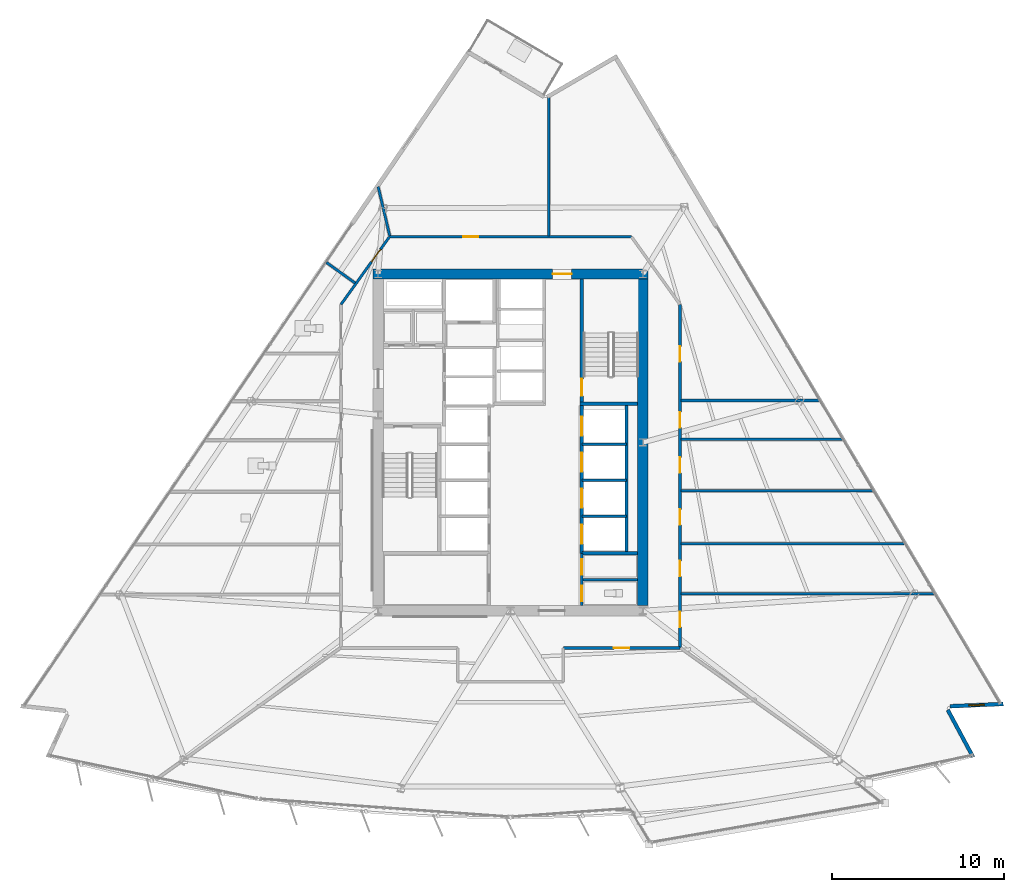
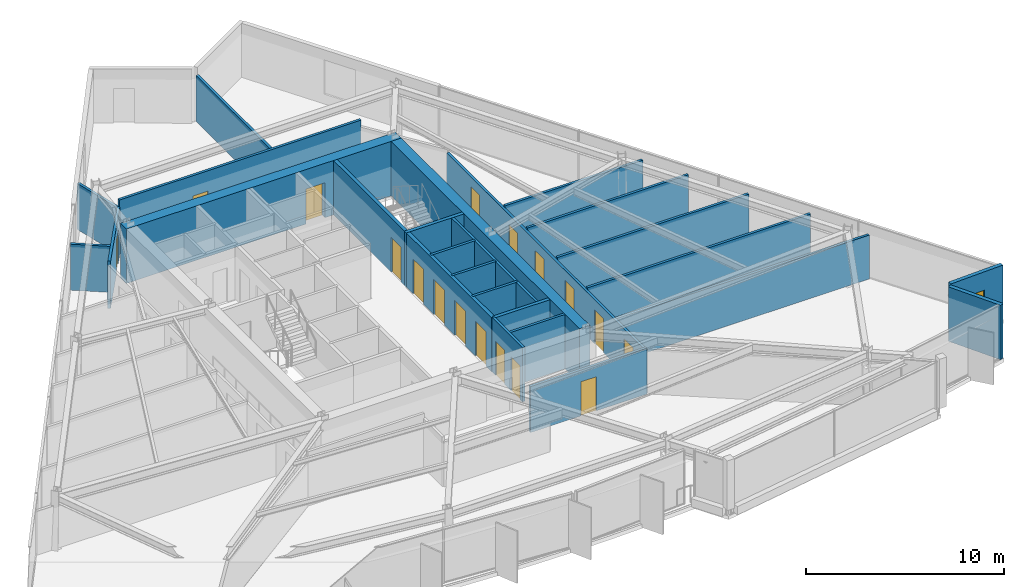
# One storey, part 9 of 15: 26 walls, 17 doors, 1 window, 18 openings.
"""IFC4 building model written with IfcOpenShell, lengths in metres."""

import ifcopenshell
import ifcopenshell.guid

model = None  # the IFC model being written
_history = None  # IfcOwnerHistory: only IFC2X3 demands one
_inside = {}  # id of a spatial element -> (the spatial element, [elements in it])
_under = {}  # id of a project, library or spatial element -> (it, [spatial elements below it])
_declared = {}  # id of a project -> (the project, [libraries it declares])
_typed = {}  # id of a type object -> (the type object, [elements of that type])
_made_of = {}  # id of a material, layer set ... -> (it, [elements and type objects made of it])


def new_model(schema):
    """Start an empty IFC model of exactly this schema.

    Asked for "IFC4X3", IfcOpenShell would pick the latest addendum, in which some entities
    have other attributes; the version numbers below select the first issue.
    IFC2X3 requires an IfcOwnerHistory on every rooted entity: one is made here for all.
    """
    global model, _history
    if schema == "IFC4X3":
        model = ifcopenshell.file(schema_version=(4, 3, 0, 0))
    else:
        model = ifcopenshell.file(schema=schema)
    _inside.clear()
    _under.clear()
    _declared.clear()
    _typed.clear()
    _made_of.clear()
    _history = None
    if model.schema == "IFC2X3":
        org = make("IfcOrganization", Name="unknown")
        user = make(
            "IfcPersonAndOrganization",
            ThePerson=make("IfcPerson", FamilyName="unknown"),
            TheOrganization=org,
        )
        app = make(
            "IfcApplication",
            ApplicationDeveloper=org,
            Version="unknown",
            ApplicationFullName="unknown",
            ApplicationIdentifier="unknown",
        )
        _history = make(
            "IfcOwnerHistory",
            OwningUser=user,
            OwningApplication=app,
            ChangeAction="ADDED",
            CreationDate=0,
        )
    return model


def make(cls, **values):
    """One entity of the class cls with the attributes given. An attribute that is None is left unset."""
    return model.create_entity(
        cls, **{name: value for name, value in values.items() if value is not None}
    )


def rooted(cls, **values):
    """An entity with a GlobalId (a new one), such as an element, a storey or a relation."""
    return make(cls, GlobalId=ifcopenshell.guid.new(), OwnerHistory=_history, **values)


def si_unit(unit_type, name, prefix=None):
    """IfcSIUnit, for example si_unit("LENGTHUNIT", "METRE", prefix="MILLI")."""
    return make("IfcSIUnit", UnitType=unit_type, Prefix=prefix, Name=name)


def assignment(units):
    """IfcUnitAssignment: the units of a project."""
    return None if units is None else make("IfcUnitAssignment", Units=units)


def point(xyz):
    """IfcCartesianPoint."""
    return None if xyz is None else make("IfcCartesianPoint", Coordinates=xyz)


def direction(xyz):
    """IfcDirection."""
    return None if xyz is None else make("IfcDirection", DirectionRatios=xyz)


def frame(location, z_axis=None, x_axis=None):
    """IfcAxis2Placement3D, a coordinate frame: its origin and axes. An axis left out is left unset."""
    return make(
        "IfcAxis2Placement3D",
        Location=point(location),
        Axis=direction(z_axis),
        RefDirection=direction(x_axis),
    )


def frame_2d(location, x_axis=None):
    """IfcAxis2Placement2D, a coordinate frame in the plane: its origin and x axis."""
    return make(
        "IfcAxis2Placement2D", Location=point(location), RefDirection=direction(x_axis)
    )


def origin():
    """The frame at (0, 0, 0) with its axes left unset."""
    return frame((0.0, 0.0, 0.0))


def place(relative_to, where):
    """IfcLocalPlacement: puts the frame where relative to a parent placement (None: the world)."""
    return make(
        "IfcLocalPlacement", PlacementRelTo=relative_to, RelativePlacement=where
    )


def context(
    kind, dimensions, precision=None, world=None, true_north=None, identifier=None
):
    """IfcGeometricRepresentationContext, for example the 3D "Model" context."""
    return make(
        "IfcGeometricRepresentationContext",
        ContextIdentifier=identifier,
        ContextType=kind,
        CoordinateSpaceDimension=dimensions,
        Precision=precision,
        WorldCoordinateSystem=world,
        TrueNorth=true_north,
    )


def subcontext(parent, identifier, kind, view, scale=None):
    """IfcGeometricRepresentationSubContext, for example "Body" below "Model"."""
    return make(
        "IfcGeometricRepresentationSubContext",
        ContextIdentifier=identifier,
        ContextType=kind,
        ParentContext=parent,
        TargetScale=scale,
        TargetView=view,
    )


def project(units=None, contexts=None):
    """IfcProject with its units and contexts."""
    return rooted(
        "IfcProject",
        Name="project",
        RepresentationContexts=contexts,
        UnitsInContext=assignment(units),
    )


def spatial(cls, under=None, at=None, **own):
    """A site, building, storey or space (cls), placed at a placement, below another one or the project."""
    s = rooted(cls, ObjectPlacement=at, **own)
    if under is not None:
        _under.setdefault(under.id(), (under, []))[1].append(s)
    return s


def profile(cls, at=None, kind="AREA", **sizes):
    """A parametric profile (cls). Its sizes go by their IFC names, for example OverallWidth=200.0."""
    return make(cls, ProfileType=kind, Position=at, **sizes)


def rectangle(**sizes):
    """IfcRectangleProfileDef."""
    return profile("IfcRectangleProfileDef", **sizes)


def extrude(swept, where, along, depth):
    """IfcExtrudedAreaSolid: the profile swept, set in the frame where, extruded along a direction by depth."""
    return make(
        "IfcExtrudedAreaSolid",
        SweptArea=swept,
        Position=where,
        ExtrudedDirection=direction(along),
        Depth=depth,
    )


def shape(context_of_items, identifier, shape_type, items):
    """IfcShapeRepresentation: the items that make up one representation, for example the "Body"."""
    return make(
        "IfcShapeRepresentation",
        ContextOfItems=context_of_items,
        RepresentationIdentifier=identifier,
        RepresentationType=shape_type,
        Items=items,
    )


def material(Name=None, Category=None):
    """IfcMaterial."""
    return make("IfcMaterial", Name=Name, Category=Category)


def layer(
    of_material, thickness, ventilated=None, Name=None, Category=None, Priority=None
):
    """IfcMaterialLayer: one layer of a wall or slab, of a material (None: an air gap)."""
    return make(
        "IfcMaterialLayer",
        Material=of_material,
        LayerThickness=thickness,
        IsVentilated=ventilated,
        Name=Name,
        Category=Category,
        Priority=Priority,
    )


def layer_set(layers, Name=None):
    """IfcMaterialLayerSet."""
    return make("IfcMaterialLayerSet", MaterialLayers=layers, LayerSetName=Name)


def made_of(thing, what):
    """Note that an element or type object is made of a material, layer set ...; save() writes the relation."""
    if what is not None:
        _made_of.setdefault(what.id(), (what, []))[1].append(thing)
    return thing


def type_object(cls, material=None, **own):
    """A type object (cls), such as IfcWallType, which elements share."""
    return made_of(rooted(cls, **own), material)


def element(
    cls,
    number,
    at=None,
    inside=None,
    cuts=None,
    type_object=None,
    material=None,
    context=None,
    identifier="Body",
    shape_type=None,
    held_by="IfcProductDefinitionShape",
    body=None,
    shapes=None,
    **own,
):
    """One element of the class cls, such as IfcWall. Its Tag is "e" and its number.

    at: its placement. inside: the storey or other place that contains it. cuts: it is an
    opening in that element (IfcRelVoidsElement). A single representation is given by context,
    identifier, shape_type and body (its items); several are given by shapes. held_by: the class
    of the entity that holds the representations. save() writes the other relations.
    """
    e = rooted(cls, Tag="e%d" % number, ObjectPlacement=at, **own)
    if body is not None:
        shapes = [shape(context, identifier, shape_type, body)]
    if shapes is not None:
        e.Representation = make(held_by, Representations=shapes)
    if inside is not None:
        _inside.setdefault(inside.id(), (inside, []))[1].append(e)
    if cuts is not None:
        rooted(
            "IfcRelVoidsElement", RelatingBuildingElement=cuts, RelatedOpeningElement=e
        )
    if type_object is not None:
        _typed.setdefault(type_object.id(), (type_object, []))[1].append(e)
    return made_of(e, material)


def fill(opening, filler):
    """IfcRelFillsElement: the door or window that sits in an opening."""
    return rooted(
        "IfcRelFillsElement",
        RelatingOpeningElement=opening,
        RelatedBuildingElement=filler,
    )


def aggregate(whole, parts):
    """IfcRelAggregates: a whole, such as a stair, and the parts it consists of."""
    return rooted("IfcRelAggregates", RelatingObject=whole, RelatedObjects=parts)


def save(model, path):
    """Write the relations noted so far, then the file.

    IfcRelAggregates (storeys below a building ...), IfcRelContainedInSpatialStructure (elements
    in a storey), IfcRelDefinesByType, IfcRelAssociatesMaterial and IfcRelDeclares: one each for
    every whole, place, type object, material and project.
    """
    for whole, parts in _under.values():
        aggregate(whole, parts)
    for where, things in _inside.values():
        rooted(
            "IfcRelContainedInSpatialStructure",
            RelatedElements=things,
            RelatingStructure=where,
        )
    for kind, things in _typed.values():
        rooted("IfcRelDefinesByType", RelatedObjects=things, RelatingType=kind)
    for what, things in _made_of.values():
        rooted("IfcRelAssociatesMaterial", RelatedObjects=things, RelatingMaterial=what)
    for by, libraries in _declared.values():
        rooted("IfcRelDeclares", RelatingContext=by, RelatedDefinitions=libraries)
    model.write(path)


model = new_model("IFC4")

# Units and contexts
model_context = context("Model", 3, precision=1e-05, world=origin(), true_north=direction((0.0, 1.0)))
body_context = subcontext(model_context, "Body", "Model", "MODEL_VIEW")
ifc_project = project(units=[si_unit("LENGTHUNIT", "METRE"), si_unit("AREAUNIT", "SQUARE_METRE"), si_unit("VOLUMEUNIT", "CUBIC_METRE"), si_unit("PLANEANGLEUNIT", "RADIAN"), si_unit("MASSUNIT", "GRAM", prefix="KILO")], contexts=[model_context])

# Site, building, storey
site_placement = place(None, origin())
site = spatial("IfcSite", under=ifc_project, at=site_placement, CompositionType="ELEMENT")
building_placement = place(site_placement, origin())
building = spatial("IfcBuilding", under=site, at=building_placement, Name="Savorim Split Tower", CompositionType="ELEMENT")
storey_placement = place(building_placement, frame((0.0, 0.0, 93.300048828125)))
storey = spatial("IfcBuildingStorey", under=building, at=storey_placement, Name="L24", CompositionType="ELEMENT", Elevation=93.300048828125)

# Wall, opening, door
ifc_material_1 = material(Name="Concrete C60/75", Category="concrete")
ifc_layer_1 = layer(ifc_material_1, 0.60009765625)
ifc_layer_set_1 = layer_set([ifc_layer_1], Name="WAL-COR-SH600")
wall_type_1 = type_object("IfcWallType", Name="WAL-COR-SH600", PredefinedType="SHEAR", material=ifc_layer_set_1)
wall_1_placement = place(storey_placement, frame((8.0, 10.199951171875, 0.0), z_axis=(0.0, 0.0, 1.0), x_axis=(-1.0, 0.0, 0.0)))
wall_1 = element("IfcWall", 1, at=wall_1_placement, inside=storey, type_object=wall_type_1, Name="L24 Offset Core North Shear Wall", PredefinedType="SHEAR", context=body_context, shape_type="SweptSolid", body=[
    extrude(rectangle(XDim=16.0, YDim=0.60009765625, at=frame_2d((8.0, 0.0))), origin(), (0.0, 0.0, 1.0), 3.349853515625),
])
opening_1_placement = place(wall_1_placement, frame((4.449951171875, 0.0, 0.0)))
opening_1 = element("IfcOpeningElement", 2, at=opening_1_placement, cuts=wall_1, Name="Opening DI-03", PredefinedType="OPENING", context=body_context, shape_type="SweptSolid", body=[
    extrude(rectangle(XDim=1.10009765625, YDim=2.14990234375, at=frame_2d((0.550048828125, 1.074951171875))), frame((0.0, 0.31005859375, 0.0), z_axis=(0.0, -1.0, 0.0), x_axis=(1.0, 0.0, 0.0)), (0.0, 0.0, 1.0), 0.6201171875),
])
ifc_material_2 = material(Name="Timber Fire Door Leaf", Category="wood")
door_type_1 = type_object("IfcDoorType", Name="DOR-FIR-1100", OperationType="NOTDEFINED", PredefinedType="DOOR", material=ifc_material_2)
door_1_placement = place(opening_1_placement, origin())
door_1 = element("IfcDoor", 3, at=door_1_placement, inside=storey, type_object=door_type_1, Name="DOR-L24-COR-NLOB - L24 North Corridor Lobby Fire Door", OperationType="SINGLE_SWING_LEFT", OverallHeight=2.14990234375, OverallWidth=1.10009765625, PredefinedType="DOOR", context=body_context, shape_type="SweptSolid", body=[
    extrude(rectangle(XDim=1.10009765625, YDim=2.14990234375, at=frame_2d((0.550048828125, 1.074951171875))), frame((0.0, 0.02490234375, 0.0), z_axis=(0.0, -1.0, 0.0), x_axis=(1.0, 0.0, 0.0)), (0.0, 0.0, 1.0), 0.050048828125),
])
fill(opening_1, door_1)

# Walls
wall_2_placement = place(storey_placement, frame((7.699951171875, 9.89990234375, 0.0), z_axis=(0.0, 0.0, 1.0), x_axis=(0.0, -1.0, 0.0)))
element("IfcWall", 4, at=wall_2_placement, inside=storey, type_object=wall_type_1, Name="L24 Offset Core East Shear Wall", PredefinedType="SHEAR", context=body_context, shape_type="SweptSolid", body=[
    extrude(rectangle(XDim=19.0, YDim=0.60009765625, at=frame_2d((9.5, 0.0))), origin(), (0.0, 0.0, 1.0), 3.349853515625),
])
ifc_material_3 = material(Name="Precast concrete C40/50", Category="concrete")
ifc_layer_2 = layer(ifc_material_3, 0.219970703125)
ifc_layer_set_2 = layer_set([ifc_layer_2], Name="WAL-EXT-CRN220")
wall_type_2 = type_object("IfcWallType", Name="WAL-EXT-CRN220", PredefinedType="SOLIDWALL", material=ifc_layer_set_2)
wall_3_placement = place(storey_placement, frame((25.44189453125, -15.164794921875, 0.0), z_axis=(0.0, 0.0, 1.0), x_axis=(0.472811757317, -0.881163459378, 0.0)))
element("IfcWall", 5, at=wall_3_placement, inside=storey, type_object=wall_type_2, Name="L24 Notched Corner Facade Wall SE1", PredefinedType="SOLIDWALL", context=body_context, shape_type="SweptSolid", body=[
    extrude(rectangle(XDim=3.109619140625, YDim=0.219970703125, at=frame_2d((1.5546875, 0.0))), origin(), (0.0, 0.0, 1.0), 3.349853515625),
])

# Wall, opening, window
wall_4_placement = place(storey_placement, frame((28.667236328125, -14.819091796875, 0.0), z_axis=(0.0, 0.0, 1.0), x_axis=(-0.99909228571, -0.042598176436, 0.0)))
wall_4 = element("IfcWall", 6, at=wall_4_placement, inside=storey, type_object=wall_type_2, Name="L24 Notched Corner Facade Wall SE", PredefinedType="SOLIDWALL", context=body_context, shape_type="SweptSolid", body=[
    extrude(rectangle(XDim=3.1064453125, YDim=0.219970703125, at=frame_2d((1.55322265625, 0.0))), origin(), (0.0, 0.0, 1.0), 3.349853515625),
])
opening_2_placement = place(wall_4_placement, frame((1.103271484375, 0.0, 0.6201171875)))
opening_2 = element("IfcOpeningElement", 7, at=opening_2_placement, cuts=wall_4, Name="Opening WN-10", PredefinedType="OPENING", context=body_context, shape_type="SweptSolid", body=[
    extrude(rectangle(XDim=0.89990234375, YDim=1.60009765625, at=frame_2d((0.449951171875, 0.800048828125))), frame((0.0, 0.119873046875, 0.0), z_axis=(0.0, -1.0, 0.0), x_axis=(1.0, 0.0, 0.0)), (0.0, 0.0, 1.0), 0.239990234375),
])
ifc_material_4 = material(Name="Low-E Operable Double Glazing", Category="glass")
window_type = type_object("IfcWindowType", Name="WIN-TWR-900x1600", PartitioningType="SINGLE_PANEL", PredefinedType="WINDOW", material=ifc_material_4)
window_placement = place(opening_2_placement, origin())
window = element("IfcWindow", 8, at=window_placement, inside=storey, type_object=window_type, Name="L24 Operable Corner Window SE", OverallHeight=1.60009765625, OverallWidth=0.89990234375, PartitioningType="SINGLE_PANEL", PredefinedType="WINDOW", context=body_context, shape_type="SweptSolid", body=[
    extrude(rectangle(XDim=0.89990234375, YDim=1.60009765625, at=frame_2d((0.449951171875, 0.800048828125))), frame((0.0, 0.030029296875, 0.0), z_axis=(0.0, -1.0, 0.0), x_axis=(1.0, 0.0, 0.0)), (0.0, 0.0, 1.0), 0.06005859375),
])
fill(opening_2, window)

# Wall, opening, door
ifc_material_5 = material(Name="Concrete C50/60", Category="concrete")
ifc_layer_3 = layer(ifc_material_5, 0.199951171875)
ifc_layer_set_3 = layer_set([ifc_layer_3], Name="WAL-INT-RC200")
wall_type_3 = type_object("IfcWallType", Name="WAL-INT-RC200", PredefinedType="SOLIDWALL", material=ifc_layer_set_3)
wall_5_placement = place(storey_placement, frame((4.14990234375, 2.75, 0.0), z_axis=(0.0, 0.0, 1.0), x_axis=(0.0, 1.0, 0.0)))
wall_5 = element("IfcWall", 9, at=wall_5_placement, inside=storey, type_object=wall_type_3, Name="L24 Structural Shaft Wall W-L24-CR07", PredefinedType="SOLIDWALL", context=body_context, shape_type="SweptSolid", body=[
    extrude(rectangle(XDim=7.14990234375, YDim=0.199951171875, at=frame_2d((3.574951171875, 0.0))), origin(), (0.0, 0.0, 1.0), 3.349853515625),
])
opening_3_placement = place(wall_5_placement, frame((0.35009765625, 0.0, 0.0)))
opening_3 = element("IfcOpeningElement", 10, at=opening_3_placement, cuts=wall_5, Name="Opening DI-04", PredefinedType="OPENING", context=body_context, shape_type="SweptSolid", body=[
    extrude(rectangle(XDim=1.0, YDim=2.14990234375, at=frame_2d((0.5, 1.074951171875))), frame((0.0, 0.10986328125, 0.0), z_axis=(0.0, -1.0, 0.0), x_axis=(1.0, 0.0, 0.0)), (0.0, 0.0, 1.0), 0.219970703125),
])
door_type_2 = type_object("IfcDoorType", Name="DOR-FIR-1000", OperationType="NOTDEFINED", PredefinedType="DOOR", material=ifc_material_2)
door_2_placement = place(opening_3_placement, origin())
door_2 = element("IfcDoor", 11, at=door_2_placement, inside=storey, type_object=door_type_2, Name="DR-L24-ST2 - L24 Stair ST-2 Enclosure Door", OperationType="SINGLE_SWING_RIGHT", OverallHeight=2.14990234375, OverallWidth=1.0, PredefinedType="DOOR", context=body_context, shape_type="SweptSolid", body=[
    extrude(rectangle(XDim=1.0, YDim=2.14990234375, at=frame_2d((0.5, 1.074951171875))), frame((0.0, 0.02490234375, 0.0), z_axis=(0.0, -1.0, 0.0), x_axis=(1.0, 0.0, 0.0)), (0.0, 0.0, 1.0), 0.050048828125),
])
fill(opening_3, door_2)

# Wall
wall_6_placement = place(storey_placement, frame((4.050048828125, 2.64990234375, 0.0), z_axis=(0.0, 0.0, 1.0), x_axis=(1.0, 0.0, 0.0)))
element("IfcWall", 12, at=wall_6_placement, inside=storey, type_object=wall_type_3, Name="L24 Structural Shaft Wall W-L24-CR08", PredefinedType="SOLIDWALL", context=body_context, shape_type="SweptSolid", body=[
    extrude(rectangle(XDim=3.349853515625, YDim=0.199951171875, at=frame_2d((1.6748046875, 0.0))), origin(), (0.0, 0.0, 1.0), 3.349853515625),
])

# Wall, openings, doors
wall_7_placement = place(storey_placement, frame((4.14990234375, -6.050048828125, 0.0), z_axis=(0.0, 0.0, 1.0), x_axis=(0.0, 1.0, 0.0)))
wall_7 = element("IfcWall", 13, at=wall_7_placement, inside=storey, type_object=wall_type_3, Name="L24 Partition W-L24-B1FRONT", PredefinedType="SOLIDWALL", context=body_context, shape_type="SweptSolid", body=[
    extrude(rectangle(XDim=8.699951171875, YDim=0.199951171875, at=frame_2d((4.35009765625, 0.0))), origin(), (0.0, 0.0, 1.0), 3.349853515625),
])
opening_4_placement = place(wall_7_placement, frame((0.550048828125, 0.0, 0.0)))
opening_4 = element("IfcOpeningElement", 14, at=opening_4_placement, cuts=wall_7, Name="Opening LD-01", PredefinedType="OPENING", context=body_context, shape_type="SweptSolid", body=[
    extrude(rectangle(XDim=1.10009765625, YDim=2.14990234375, at=frame_2d((0.550048828125, 1.074951171875))), frame((0.0, 0.10986328125, 0.0), z_axis=(0.0, -1.0, 0.0), x_axis=(1.0, 0.0, 0.0)), (0.0, 0.0, 1.0), 0.219970703125),
])
opening_5_placement = place(wall_7_placement, frame((2.64990234375, 0.0, 0.0)))
opening_5 = element("IfcOpeningElement", 15, at=opening_5_placement, cuts=wall_7, Name="Opening LD-01", PredefinedType="OPENING", context=body_context, shape_type="SweptSolid", body=[
    extrude(rectangle(XDim=1.10009765625, YDim=2.14990234375, at=frame_2d((0.550048828125, 1.074951171875))), frame((0.0, 0.10986328125, 0.0), z_axis=(0.0, -1.0, 0.0), x_axis=(1.0, 0.0, 0.0)), (0.0, 0.0, 1.0), 0.219970703125),
])
opening_6_placement = place(wall_7_placement, frame((4.75, 0.0, 0.0)))
opening_6 = element("IfcOpeningElement", 16, at=opening_6_placement, cuts=wall_7, Name="Opening LD-01", PredefinedType="OPENING", context=body_context, shape_type="SweptSolid", body=[
    extrude(rectangle(XDim=1.10009765625, YDim=2.14990234375, at=frame_2d((0.550048828125, 1.074951171875))), frame((0.0, 0.10986328125, 0.0), z_axis=(0.0, -1.0, 0.0), x_axis=(1.0, 0.0, 0.0)), (0.0, 0.0, 1.0), 0.219970703125),
])
opening_7_placement = place(wall_7_placement, frame((6.85009765625, 0.0, 0.0)))
opening_7 = element("IfcOpeningElement", 17, at=opening_7_placement, cuts=wall_7, Name="Opening LD-01", PredefinedType="OPENING", context=body_context, shape_type="SweptSolid", body=[
    extrude(rectangle(XDim=1.10009765625, YDim=2.14990234375, at=frame_2d((0.550048828125, 1.074951171875))), frame((0.0, 0.10986328125, 0.0), z_axis=(0.0, -1.0, 0.0), x_axis=(1.0, 0.0, 0.0)), (0.0, 0.0, 1.0), 0.219970703125),
])
ifc_material_6 = material(Name="Charcoal Anodised Aluminium", Category="aluminium")
door_type_3 = type_object("IfcDoorType", Name="DOR-SLD-LD1100", OperationType="NOTDEFINED", PredefinedType="DOOR", material=ifc_material_6)
door_3_placement = place(opening_4_placement, origin())
door_3 = element("IfcDoor", 18, at=door_3_placement, inside=storey, type_object=door_type_3, Name="DR-L24-LD-PLL1 - L24 Lift PL-L1 Sliding Landing Door", OperationType="DOUBLE_DOOR_SLIDING", OverallHeight=2.14990234375, OverallWidth=1.10009765625, PredefinedType="DOOR", context=body_context, shape_type="SweptSolid", body=[
    extrude(rectangle(XDim=1.10009765625, YDim=2.14990234375, at=frame_2d((0.550048828125, 1.074951171875))), frame((0.0, 0.02490234375, 0.0), z_axis=(0.0, -1.0, 0.0), x_axis=(1.0, 0.0, 0.0)), (0.0, 0.0, 1.0), 0.050048828125),
])
fill(opening_4, door_3)
door_4_placement = place(opening_5_placement, origin())
door_4 = element("IfcDoor", 19, at=door_4_placement, inside=storey, type_object=door_type_3, Name="DR-L24-LD-PLL2 - L24 Lift PL-L2 Sliding Landing Door", OperationType="DOUBLE_DOOR_SLIDING", OverallHeight=2.14990234375, OverallWidth=1.10009765625, PredefinedType="DOOR", context=body_context, shape_type="SweptSolid", body=[
    extrude(rectangle(XDim=1.10009765625, YDim=2.14990234375, at=frame_2d((0.550048828125, 1.074951171875))), frame((0.0, 0.02490234375, 0.0), z_axis=(0.0, -1.0, 0.0), x_axis=(1.0, 0.0, 0.0)), (0.0, 0.0, 1.0), 0.050048828125),
])
fill(opening_5, door_4)
door_5_placement = place(opening_6_placement, origin())
door_5 = element("IfcDoor", 20, at=door_5_placement, inside=storey, type_object=door_type_3, Name="DR-L24-LD-PLL3 - L24 Lift PL-L3 Sliding Landing Door", OperationType="DOUBLE_DOOR_SLIDING", OverallHeight=2.14990234375, OverallWidth=1.10009765625, PredefinedType="DOOR", context=body_context, shape_type="SweptSolid", body=[
    extrude(rectangle(XDim=1.10009765625, YDim=2.14990234375, at=frame_2d((0.550048828125, 1.074951171875))), frame((0.0, 0.02490234375, 0.0), z_axis=(0.0, -1.0, 0.0), x_axis=(1.0, 0.0, 0.0)), (0.0, 0.0, 1.0), 0.050048828125),
])
fill(opening_6, door_5)
door_6_placement = place(opening_7_placement, origin())
door_6 = element("IfcDoor", 21, at=door_6_placement, inside=storey, type_object=door_type_3, Name="DR-L24-LD-PLL4 - L24 Lift PL-L4 Sliding Landing Door", OperationType="DOUBLE_DOOR_SLIDING", OverallHeight=2.14990234375, OverallWidth=1.10009765625, PredefinedType="DOOR", context=body_context, shape_type="SweptSolid", body=[
    extrude(rectangle(XDim=1.10009765625, YDim=2.14990234375, at=frame_2d((0.550048828125, 1.074951171875))), frame((0.0, 0.02490234375, 0.0), z_axis=(0.0, -1.0, 0.0), x_axis=(1.0, 0.0, 0.0)), (0.0, 0.0, 1.0), 0.050048828125),
])
fill(opening_7, door_6)

# Walls
wall_8_placement = place(storey_placement, frame((4.14990234375, -6.050048828125, 0.0), z_axis=(0.0, 0.0, 1.0), x_axis=(1.0, 0.0, 0.0)))
element("IfcWall", 22, at=wall_8_placement, inside=storey, type_object=wall_type_3, Name="L24 Partition W-L24-KSEP-E", PredefinedType="SOLIDWALL", context=body_context, shape_type="SweptSolid", body=[
    extrude(rectangle(XDim=3.2451171875, YDim=0.199951171875, at=frame_2d((1.62255859375, 0.0))), origin(), (0.0, 0.0, 1.0), 3.349853515625),
])
ifc_material_7 = material(Name="Acoustic Gypsum Partition Board")
ifc_layer_4 = layer(ifc_material_7, 0.14990234375)
ifc_layer_set_4 = layer_set([ifc_layer_4], Name="WAL-PAR-150")
wall_type_4 = type_object("IfcWallType", Name="WAL-PAR-150", PredefinedType="PARTITIONING", material=ifc_layer_set_4)
wall_9_placement = place(storey_placement, frame((6.75, -6.050048828125, 0.0), z_axis=(0.0, 0.0, 1.0), x_axis=(0.0, 1.0, 0.0)))
element("IfcWall", 23, at=wall_9_placement, inside=storey, type_object=wall_type_4, Name="L24 Partition W-L24-B1BACK", PredefinedType="PARTITIONING", context=body_context, shape_type="SweptSolid", body=[
    extrude(rectangle(XDim=8.699951171875, YDim=0.14990234375, at=frame_2d((4.35009765625, 0.0))), origin(), (0.0, 0.0, 1.0), 3.349853515625),
])
for number, where, z_axis, x_axis, name in (
    (24, (4.14990234375, -3.89990234375, 0.0), (0.0, 0.0, 1.0), (1.0, 0.0, 0.0), "L24 Partition W-L24-B1DIV1"),
    (25, (4.14990234375, -1.800048828125, 0.0), (0.0, 0.0, 1.0), (1.0, 0.0, 0.0), "L24 Partition W-L24-B1DIV2"),
    (26, (4.14990234375, 0.300048828125, 0.0), (0.0, 0.0, 1.0), (1.0, 0.0, 0.0), "L24 Partition W-L24-B1DIV3"),
):
    element("IfcWall", number, at=place(storey_placement, frame(where, z_axis=z_axis, x_axis=x_axis)), inside=storey, type_object=wall_type_4, Name=name, PredefinedType="PARTITIONING", context=body_context, shape_type="SweptSolid", body=[
        extrude(rectangle(XDim=2.60009765625, YDim=0.14990234375, at=frame_2d((1.300048828125, 0.0))), origin(), (0.0, 0.0, 1.0), 3.349853515625),
    ])

# Wall, openings, doors
wall_10_placement = place(storey_placement, frame((4.14990234375, -9.094970703125, 0.0), z_axis=(0.0, 0.0, 1.0), x_axis=(0.0, 1.0, 0.0)))
wall_10 = element("IfcWall", 27, at=wall_10_placement, inside=storey, type_object=wall_type_4, Name="L24 Partition W-L24-KLOB-E", PredefinedType="PARTITIONING", context=body_context, shape_type="SweptSolid", body=[
    extrude(rectangle(XDim=3.044921875, YDim=0.14990234375, at=frame_2d((1.5224609375, 0.0))), origin(), (0.0, 0.0, 1.0), 3.349853515625),
])
opening_8_placement = place(wall_10_placement, frame((0.2451171875, 0.0, 0.0)))
opening_8 = element("IfcOpeningElement", 28, at=opening_8_placement, cuts=wall_10, Name="Opening DI-11", PredefinedType="OPENING", context=body_context, shape_type="SweptSolid", body=[
    extrude(rectangle(XDim=0.89990234375, YDim=2.10009765625, at=frame_2d((0.449951171875, 1.050048828125))), frame((0.0, 0.0849609375, 0.0), z_axis=(0.0, -1.0, 0.0), x_axis=(1.0, 0.0, 0.0)), (0.0, 0.0, 1.0), 0.169921875),
])
opening_9_placement = place(wall_10_placement, frame((1.794921875, 0.0, 0.0)))
opening_9 = element("IfcOpeningElement", 29, at=opening_9_placement, cuts=wall_10, Name="Opening DI-06", PredefinedType="OPENING", context=body_context, shape_type="SweptSolid", body=[
    extrude(rectangle(XDim=0.89990234375, YDim=2.10009765625, at=frame_2d((0.449951171875, 1.050048828125))), frame((0.0, 0.0849609375, 0.0), z_axis=(0.0, -1.0, 0.0), x_axis=(1.0, 0.0, 0.0)), (0.0, 0.0, 1.0), 0.169921875),
])
door_type_4 = type_object("IfcDoorType", Name="DOR-FIR-900", OperationType="NOTDEFINED", PredefinedType="DOOR", material=ifc_material_2)
door_7_placement = place(opening_9_placement, origin())
door_7 = element("IfcDoor", 30, at=door_7_placement, inside=storey, type_object=door_type_4, Name="DR-L24-K3LCK - L24 Cleaning Store Door", OperationType="SINGLE_SWING_LEFT", OverallHeight=2.10009765625, OverallWidth=0.89990234375, PredefinedType="DOOR", context=body_context, shape_type="SweptSolid", body=[
    extrude(rectangle(XDim=0.89990234375, YDim=2.10009765625, at=frame_2d((0.449951171875, 1.050048828125))), frame((0.0, 0.02490234375, 0.0), z_axis=(0.0, -1.0, 0.0), x_axis=(1.0, 0.0, 0.0)), (0.0, 0.0, 1.0), 0.050048828125),
])
fill(opening_9, door_7)
ifc_material_8 = material(Name="Oak Veneer Acoustic Door")
door_type_5 = type_object("IfcDoorType", Name="DOR-WC-900", OperationType="NOTDEFINED", PredefinedType="DOOR", material=ifc_material_8)
door_8_placement = place(opening_8_placement, origin())
door_8 = element("IfcDoor", 31, at=door_8_placement, inside=storey, type_object=door_type_5, Name="DR-L24-K3AWC - L24 Core Accessible WC Door", OperationType="SINGLE_SWING_RIGHT", OverallHeight=2.10009765625, OverallWidth=0.89990234375, PredefinedType="DOOR", context=body_context, shape_type="SweptSolid", body=[
    extrude(rectangle(XDim=0.89990234375, YDim=2.10009765625, at=frame_2d((0.449951171875, 1.050048828125))), frame((0.0, 0.02490234375, 0.0), z_axis=(0.0, -1.0, 0.0), x_axis=(1.0, 0.0, 0.0)), (0.0, 0.0, 1.0), 0.050048828125),
])
fill(opening_8, door_8)

# Wall
wall_11_placement = place(storey_placement, frame((4.14990234375, -7.580078125, 0.0), z_axis=(0.0, 0.0, 1.0), x_axis=(1.0, 0.0, 0.0)))
element("IfcWall", 32, at=wall_11_placement, inside=storey, type_object=wall_type_4, Name="L24 Partition W-L24-K3H", PredefinedType="PARTITIONING", context=body_context, shape_type="SweptSolid", body=[
    extrude(rectangle(XDim=3.2451171875, YDim=0.14990234375, at=frame_2d((1.62255859375, 0.0))), origin(), (0.0, 0.0, 1.0), 3.349853515625),
])

# Wall, opening, door
wall_12_placement = place(storey_placement, frame((-9.860107421875, 8.42578125, 0.0), z_axis=(0.0, 0.0, 1.0), x_axis=(0.582449511476, 0.812866881218, 0.0)))
wall_12 = element("IfcWall", 33, at=wall_12_placement, inside=storey, type_object=wall_type_4, Name="L24 Partition W-L24-COR-02", PredefinedType="PARTITIONING", context=body_context, shape_type="SweptSolid", body=[
    extrude(rectangle(XDim=4.840087890625, YDim=0.14990234375, at=frame_2d((2.419921875, 0.0))), origin(), (0.0, 0.0, 1.0), 2.925048828125),
])
opening_10_placement = place(wall_12_placement, frame((3.046142578125, 0.0, 0.0)))
opening_10 = element("IfcOpeningElement", 34, at=opening_10_placement, cuts=wall_12, Name="Opening DI-06", PredefinedType="OPENING", context=body_context, shape_type="SweptSolid", body=[
    extrude(rectangle(XDim=0.89990234375, YDim=2.10009765625, at=frame_2d((0.449951171875, 1.050048828125))), frame((0.0, 0.0849609375, 0.0), z_axis=(0.0, -1.0, 0.0), x_axis=(1.0, 0.0, 0.0)), (0.0, 0.0, 1.0), 0.169921875),
])
door_9_placement = place(opening_10_placement, origin())
door_9 = element("IfcDoor", 35, at=door_9_placement, inside=storey, type_object=door_type_4, Name="DR-L24-RM13 - L24 Quiet Study Room Entry Door", OperationType="SINGLE_SWING_RIGHT", OverallHeight=2.10009765625, OverallWidth=0.89990234375, PredefinedType="DOOR", context=body_context, shape_type="SweptSolid", body=[
    extrude(rectangle(XDim=0.89990234375, YDim=2.10009765625, at=frame_2d((0.449951171875, 1.050048828125))), frame((0.0, 0.02490234375, 0.0), z_axis=(0.0, -1.0, 0.0), x_axis=(1.0, 0.0, 0.0)), (0.0, 0.0, 1.0), 0.050048828125),
])
fill(opening_10, door_9)

wall_13_placement = place(storey_placement, frame((-7.041015625, 12.360107421875, 0.0), z_axis=(0.0, 0.0, 1.0), x_axis=(1.0, 0.0, 0.0)))
wall_13 = element("IfcWall", 36, at=wall_13_placement, inside=storey, type_object=wall_type_4, Name="L24 Partition W-L24-COR-03", PredefinedType="PARTITIONING", context=body_context, shape_type="SweptSolid", body=[
    extrude(rectangle(XDim=14.08203125, YDim=0.14990234375, at=frame_2d((7.041015625, 0.0))), origin(), (0.0, 0.0, 1.0), 3.349853515625),
])
opening_11_placement = place(wall_13_placement, frame((4.27880859375, 0.0, 0.0)))
opening_11 = element("IfcOpeningElement", 37, at=opening_11_placement, cuts=wall_13, Name="Opening DI-06", PredefinedType="OPENING", context=body_context, shape_type="SweptSolid", body=[
    extrude(rectangle(XDim=0.89990234375, YDim=2.10009765625, at=frame_2d((0.449951171875, 1.050048828125))), frame((0.0, 0.0849609375, 0.0), z_axis=(0.0, -1.0, 0.0), x_axis=(1.0, 0.0, 0.0)), (0.0, 0.0, 1.0), 0.169921875),
])
door_10_placement = place(opening_11_placement, origin())
door_10 = element("IfcDoor", 38, at=door_10_placement, inside=storey, type_object=door_type_4, Name="DR-L24-RM12 - L24 Co-Working Commons Entry Door", OperationType="SINGLE_SWING_LEFT", OverallHeight=2.10009765625, OverallWidth=0.89990234375, PredefinedType="DOOR", context=body_context, shape_type="SweptSolid", body=[
    extrude(rectangle(XDim=0.89990234375, YDim=2.10009765625, at=frame_2d((0.449951171875, 1.050048828125))), frame((0.0, 0.02490234375, 0.0), z_axis=(0.0, -1.0, 0.0), x_axis=(1.0, 0.0, 0.0)), (0.0, 0.0, 1.0), 0.050048828125),
])
fill(opening_11, door_10)

# Wall, openings, doors
wall_14_placement = place(storey_placement, frame((9.860107421875, 8.42578125, 0.0), z_axis=(0.0, 0.0, 1.0), x_axis=(0.0, -1.0, 0.0)))
wall_14 = element("IfcWall", 39, at=wall_14_placement, inside=storey, type_object=wall_type_4, Name="L24 Partition W-L24-COR-05", PredefinedType="PARTITIONING", context=body_context, shape_type="SweptSolid", body=[
    extrude(rectangle(XDim=19.98583984375, YDim=0.14990234375, at=frame_2d((9.992919921875, 0.0))), origin(), (0.0, 0.0, 1.0), 2.704833984375),
])
opening_12_placement = place(wall_14_placement, frame((17.869140625, 0.0, 0.0)))
opening_12 = element("IfcOpeningElement", 40, at=opening_12_placement, cuts=wall_14, Name="Opening DI-06", PredefinedType="OPENING", context=body_context, shape_type="SweptSolid", body=[
    extrude(rectangle(XDim=0.89990234375, YDim=2.10009765625, at=frame_2d((0.449951171875, 1.050048828125))), frame((0.0, 0.0849609375, 0.0), z_axis=(0.0, -1.0, 0.0), x_axis=(1.0, 0.0, 0.0)), (0.0, 0.0, 1.0), 0.169921875),
])
opening_13_placement = place(wall_14_placement, frame((14.921875, 0.0, 0.0)))
opening_13 = element("IfcOpeningElement", 41, at=opening_13_placement, cuts=wall_14, Name="Opening DI-06", PredefinedType="OPENING", context=body_context, shape_type="SweptSolid", body=[
    extrude(rectangle(XDim=0.89990234375, YDim=2.10009765625, at=frame_2d((0.449951171875, 1.050048828125))), frame((0.0, 0.0849609375, 0.0), z_axis=(0.0, -1.0, 0.0), x_axis=(1.0, 0.0, 0.0)), (0.0, 0.0, 1.0), 0.169921875),
])
opening_14_placement = place(wall_14_placement, frame((11.92822265625, 0.0, 0.0)))
opening_14 = element("IfcOpeningElement", 42, at=opening_14_placement, cuts=wall_14, Name="Opening DI-06", PredefinedType="OPENING", context=body_context, shape_type="SweptSolid", body=[
    extrude(rectangle(XDim=0.89990234375, YDim=2.10009765625, at=frame_2d((0.449951171875, 1.050048828125))), frame((0.0, 0.0849609375, 0.0), z_axis=(0.0, -1.0, 0.0), x_axis=(1.0, 0.0, 0.0)), (0.0, 0.0, 1.0), 0.169921875),
])
opening_15_placement = place(wall_14_placement, frame((8.89697265625, 0.0, 0.0)))
opening_15 = element("IfcOpeningElement", 43, at=opening_15_placement, cuts=wall_14, Name="Opening DI-06", PredefinedType="OPENING", context=body_context, shape_type="SweptSolid", body=[
    extrude(rectangle(XDim=0.89990234375, YDim=2.10009765625, at=frame_2d((0.449951171875, 1.050048828125))), frame((0.0, 0.0849609375, 0.0), z_axis=(0.0, -1.0, 0.0), x_axis=(1.0, 0.0, 0.0)), (0.0, 0.0, 1.0), 0.169921875),
])
opening_16_placement = place(wall_14_placement, frame((6.26904296875, 0.0, 0.0)))
opening_16 = element("IfcOpeningElement", 44, at=opening_16_placement, cuts=wall_14, Name="Opening DI-06", PredefinedType="OPENING", context=body_context, shape_type="SweptSolid", body=[
    extrude(rectangle(XDim=0.89990234375, YDim=2.10009765625, at=frame_2d((0.449951171875, 1.050048828125))), frame((0.0, 0.0849609375, 0.0), z_axis=(0.0, -1.0, 0.0), x_axis=(1.0, 0.0, 0.0)), (0.0, 0.0, 1.0), 0.169921875),
])
opening_17_placement = place(wall_14_placement, frame((2.43310546875, 0.0, 0.0)))
opening_17 = element("IfcOpeningElement", 45, at=opening_17_placement, cuts=wall_14, Name="Opening DI-06", PredefinedType="OPENING", context=body_context, shape_type="SweptSolid", body=[
    extrude(rectangle(XDim=0.89990234375, YDim=2.10009765625, at=frame_2d((0.449951171875, 1.050048828125))), frame((0.0, 0.0849609375, 0.0), z_axis=(0.0, -1.0, 0.0), x_axis=(1.0, 0.0, 0.0)), (0.0, 0.0, 1.0), 0.169921875),
])
door_11_placement = place(opening_12_placement, origin())
door_11 = element("IfcDoor", 46, at=door_11_placement, inside=storey, type_object=door_type_4, Name="DR-L24-RM06 - L24 Co-Working Commons Entry Door", OperationType="SINGLE_SWING_LEFT", OverallHeight=2.10009765625, OverallWidth=0.89990234375, PredefinedType="DOOR", context=body_context, shape_type="SweptSolid", body=[
    extrude(rectangle(XDim=0.89990234375, YDim=2.10009765625, at=frame_2d((0.449951171875, 1.050048828125))), frame((0.0, 0.02490234375, 0.0), z_axis=(0.0, -1.0, 0.0), x_axis=(1.0, 0.0, 0.0)), (0.0, 0.0, 1.0), 0.050048828125),
])
fill(opening_12, door_11)
door_12_placement = place(opening_13_placement, origin())
door_12 = element("IfcDoor", 47, at=door_12_placement, inside=storey, type_object=door_type_4, Name="DR-L24-RM07 - L24 Co-Working Commons Entry Door", OperationType="SINGLE_SWING_RIGHT", OverallHeight=2.10009765625, OverallWidth=0.89990234375, PredefinedType="DOOR", context=body_context, shape_type="SweptSolid", body=[
    extrude(rectangle(XDim=0.89990234375, YDim=2.10009765625, at=frame_2d((0.449951171875, 1.050048828125))), frame((0.0, 0.02490234375, 0.0), z_axis=(0.0, -1.0, 0.0), x_axis=(1.0, 0.0, 0.0)), (0.0, 0.0, 1.0), 0.050048828125),
])
fill(opening_13, door_12)
door_13_placement = place(opening_14_placement, origin())
door_13 = element("IfcDoor", 48, at=door_13_placement, inside=storey, type_object=door_type_4, Name="DR-L24-RM08 - L24 Co-Living Bedroom Entry Door", OperationType="SINGLE_SWING_LEFT", OverallHeight=2.10009765625, OverallWidth=0.89990234375, PredefinedType="DOOR", context=body_context, shape_type="SweptSolid", body=[
    extrude(rectangle(XDim=0.89990234375, YDim=2.10009765625, at=frame_2d((0.449951171875, 1.050048828125))), frame((0.0, 0.02490234375, 0.0), z_axis=(0.0, -1.0, 0.0), x_axis=(1.0, 0.0, 0.0)), (0.0, 0.0, 1.0), 0.050048828125),
])
fill(opening_14, door_13)
door_14_placement = place(opening_15_placement, origin())
door_14 = element("IfcDoor", 49, at=door_14_placement, inside=storey, type_object=door_type_4, Name="DR-L24-RM09 - L24 Co-Working Commons Entry Door", OperationType="SINGLE_SWING_RIGHT", OverallHeight=2.10009765625, OverallWidth=0.89990234375, PredefinedType="DOOR", context=body_context, shape_type="SweptSolid", body=[
    extrude(rectangle(XDim=0.89990234375, YDim=2.10009765625, at=frame_2d((0.449951171875, 1.050048828125))), frame((0.0, 0.02490234375, 0.0), z_axis=(0.0, -1.0, 0.0), x_axis=(1.0, 0.0, 0.0)), (0.0, 0.0, 1.0), 0.050048828125),
])
fill(opening_15, door_14)
door_15_placement = place(opening_16_placement, origin())
door_15 = element("IfcDoor", 50, at=door_15_placement, inside=storey, type_object=door_type_4, Name="DR-L24-RM10 - L24 Co-Working Commons Entry Door", OperationType="SINGLE_SWING_LEFT", OverallHeight=2.10009765625, OverallWidth=0.89990234375, PredefinedType="DOOR", context=body_context, shape_type="SweptSolid", body=[
    extrude(rectangle(XDim=0.89990234375, YDim=2.10009765625, at=frame_2d((0.449951171875, 1.050048828125))), frame((0.0, 0.02490234375, 0.0), z_axis=(0.0, -1.0, 0.0), x_axis=(1.0, 0.0, 0.0)), (0.0, 0.0, 1.0), 0.050048828125),
])
fill(opening_16, door_15)
door_16_placement = place(opening_17_placement, origin())
door_16 = element("IfcDoor", 51, at=door_16_placement, inside=storey, type_object=door_type_4, Name="DR-L24-RM11 - L24 Co-Working Commons Entry Door", OperationType="SINGLE_SWING_RIGHT", OverallHeight=2.10009765625, OverallWidth=0.89990234375, PredefinedType="DOOR", context=body_context, shape_type="SweptSolid", body=[
    extrude(rectangle(XDim=0.89990234375, YDim=2.10009765625, at=frame_2d((0.449951171875, 1.050048828125))), frame((0.0, 0.02490234375, 0.0), z_axis=(0.0, -1.0, 0.0), x_axis=(1.0, 0.0, 0.0)), (0.0, 0.0, 1.0), 0.050048828125),
])
fill(opening_17, door_16)

# Wall, opening, door
wall_15_placement = place(storey_placement, frame((9.860107421875, -11.56005859375, 0.0), z_axis=(0.0, 0.0, 1.0), x_axis=(-1.0, 0.0, 0.0)))
wall_15 = element("IfcWall", 52, at=wall_15_placement, inside=storey, type_object=wall_type_4, Name="L24 Partition W-L24-COR-06", PredefinedType="PARTITIONING", context=body_context, shape_type="SweptSolid", body=[
    extrude(rectangle(XDim=6.780029296875, YDim=0.14990234375, at=frame_2d((3.39013671875, 0.0))), origin(), (0.0, 0.0, 1.0), 2.824951171875),
])
opening_18_placement = place(wall_15_placement, frame((2.93994140625, 0.0, 0.0)))
opening_18 = element("IfcOpeningElement", 53, at=opening_18_placement, cuts=wall_15, Name="Opening DI-06", PredefinedType="OPENING", context=body_context, shape_type="SweptSolid", body=[
    extrude(rectangle(XDim=0.89990234375, YDim=2.10009765625, at=frame_2d((0.449951171875, 1.050048828125))), frame((0.0, 0.0849609375, 0.0), z_axis=(0.0, -1.0, 0.0), x_axis=(1.0, 0.0, 0.0)), (0.0, 0.0, 1.0), 0.169921875),
])
door_17_placement = place(opening_18_placement, origin())
door_17 = element("IfcDoor", 54, at=door_17_placement, inside=storey, type_object=door_type_4, Name="DR-L24-RM05 - L24 Co-Working Commons Entry Door", OperationType="SINGLE_SWING_RIGHT", OverallHeight=2.10009765625, OverallWidth=0.89990234375, PredefinedType="DOOR", context=body_context, shape_type="SweptSolid", body=[
    extrude(rectangle(XDim=0.89990234375, YDim=2.10009765625, at=frame_2d((0.449951171875, 1.050048828125))), frame((0.0, 0.02490234375, 0.0), z_axis=(0.0, -1.0, 0.0), x_axis=(1.0, 0.0, 0.0)), (0.0, 0.0, 1.0), 0.050048828125),
])
fill(opening_18, door_17)

# Walls
wall_16_placement = place(storey_placement, frame((9.919921875, -8.4052734375, 0.0), z_axis=(0.0, 0.0, 1.0), x_axis=(1.0, 0.0, 0.0)))
element("IfcWall", 55, at=wall_16_placement, inside=storey, type_object=wall_type_4, Name="L24 Partition W-L24-PRAD05", PredefinedType="PARTITIONING", context=body_context, shape_type="SweptSolid", body=[
    extrude(rectangle(XDim=14.710693359375, YDim=0.14990234375, at=frame_2d((7.35546875, 0.0))), origin(), (0.0, 0.0, 1.0), 2.704833984375),
])
wall_17_placement = place(storey_placement, frame((9.919921875, 2.837890625, 0.0), z_axis=(0.0, 0.0, 1.0), x_axis=(1.0, 0.0, 0.0)))
element("IfcWall", 56, at=wall_17_placement, inside=storey, type_object=wall_type_4, Name="L24 Partition W-L24-PRAD06", PredefinedType="PARTITIONING", context=body_context, shape_type="SweptSolid", body=[
    extrude(rectangle(XDim=8.025146484375, YDim=0.14990234375, at=frame_2d((4.0126953125, 0.0))), origin(), (0.0, 0.0, 1.0), 2.8349609375),
])
wall_18_placement = place(storey_placement, frame((-7.0263671875, 12.417236328125, 0.0), z_axis=(0.0, 0.0, 1.0), x_axis=(-0.228928215252, 0.973443307163, 0.0)))
element("IfcWall", 57, at=wall_18_placement, inside=storey, type_object=wall_type_4, Name="L24 Partition W-L24-PRAD08", PredefinedType="PARTITIONING", context=body_context, shape_type="SweptSolid", body=[
    extrude(rectangle(XDim=2.939208984375, YDim=0.14990234375, at=frame_2d((1.4697265625, 0.0))), origin(), (0.0, 0.0, 1.0), 2.8349609375),
])
wall_19_placement = place(storey_placement, frame((9.919921875, -2.418212890625, 0.0), z_axis=(0.0, 0.0, 1.0), x_axis=(1.0, 0.0, 0.0)))
element("IfcWall", 58, at=wall_19_placement, inside=storey, type_object=wall_type_4, Name="L24 Partition W-L24-SUB02", PredefinedType="PARTITIONING", context=body_context, shape_type="SweptSolid", body=[
    extrude(rectangle(XDim=11.150390625, YDim=0.14990234375, at=frame_2d((5.5751953125, 0.0))), origin(), (0.0, 0.0, 1.0), 2.8349609375),
])
wall_20_placement = place(storey_placement, frame((-9.04052734375, 9.672607421875, 0.0), z_axis=(0.0, 0.0, 1.0), x_axis=(-0.812933955931, 0.582355890581, 0.0)))
element("IfcWall", 59, at=wall_20_placement, inside=storey, type_object=wall_type_4, Name="L24 Partition W-L24-SUB03", PredefinedType="PARTITIONING", context=body_context, shape_type="SweptSolid", body=[
    extrude(rectangle(XDim=2.044677734375, YDim=0.14990234375, at=frame_2d((1.0224609375, 0.0))), origin(), (0.0, 0.0, 1.0), 2.8349609375),
])
wall_21_placement = place(storey_placement, frame((9.919921875, -5.487060546875, 0.0), z_axis=(0.0, 0.0, 1.0), x_axis=(1.0, 0.0, 0.0)))
element("IfcWall", 60, at=wall_21_placement, inside=storey, type_object=wall_type_4, Name="L24 Partition W-L24-SUB06", PredefinedType="PARTITIONING", context=body_context, shape_type="SweptSolid", body=[
    extrude(rectangle(XDim=12.975341796875, YDim=0.14990234375, at=frame_2d((6.48779296875, 0.0))), origin(), (0.0, 0.0, 1.0), 2.8349609375),
])
wall_22_placement = place(storey_placement, frame((9.919921875, 0.575439453125, 0.0), z_axis=(0.0, 0.0, 1.0), x_axis=(1.0, 0.0, 0.0)))
element("IfcWall", 61, at=wall_22_placement, inside=storey, type_object=wall_type_4, Name="L24 Partition W-L24-SUB07", PredefinedType="PARTITIONING", context=body_context, shape_type="SweptSolid", body=[
    extrude(rectangle(XDim=9.370361328125, YDim=0.14990234375, at=frame_2d((4.68505859375, 0.0))), origin(), (0.0, 0.0, 1.0), 2.8349609375),
])
wall_23_placement = place(storey_placement, frame((2.238037109375, 12.419921875, 0.0), z_axis=(0.0, 0.0, 1.0), x_axis=(0.0, 1.0, 0.0)))
element("IfcWall", 62, at=wall_23_placement, inside=storey, type_object=wall_type_4, Name="L24 Partition W-L24-SUB08", PredefinedType="PARTITIONING", context=body_context, shape_type="SweptSolid", body=[
    extrude(rectangle(XDim=8.080322265625, YDim=0.14990234375, at=frame_2d((4.0400390625, 0.0))), origin(), (0.0, 0.0, 1.0), 2.8349609375),
])

save(model, "model.ifc")
